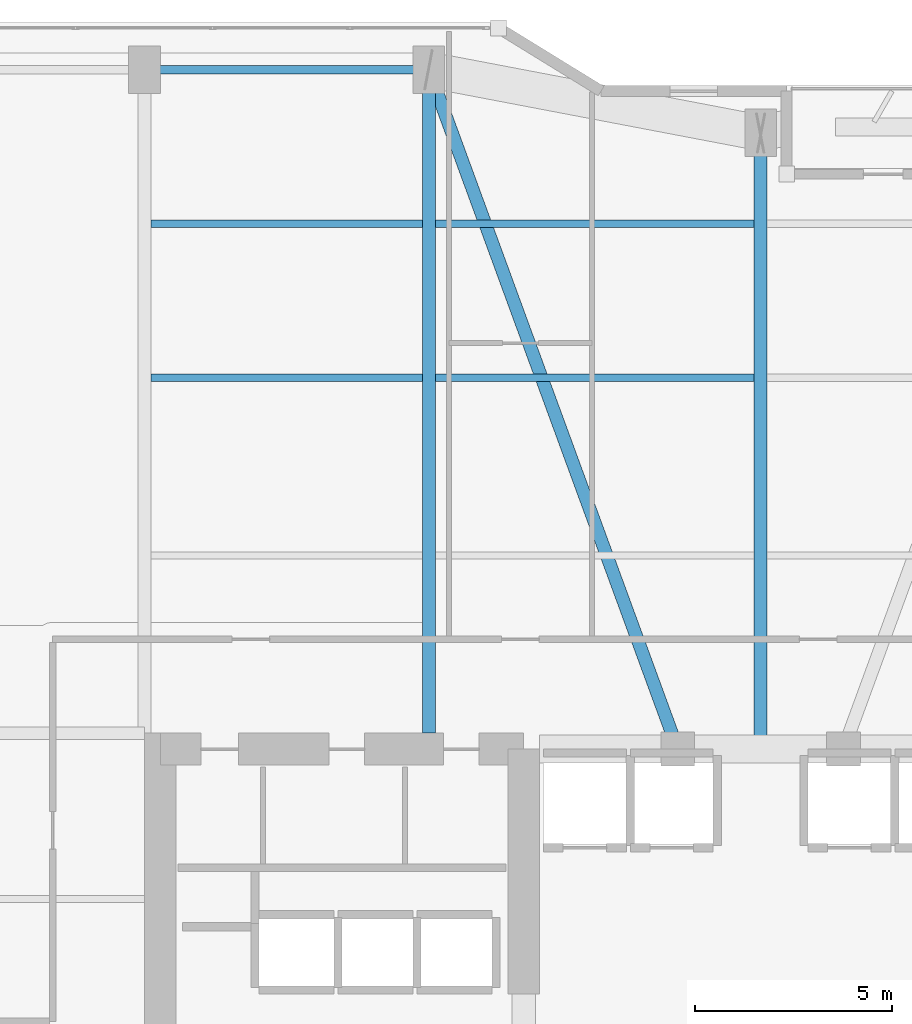
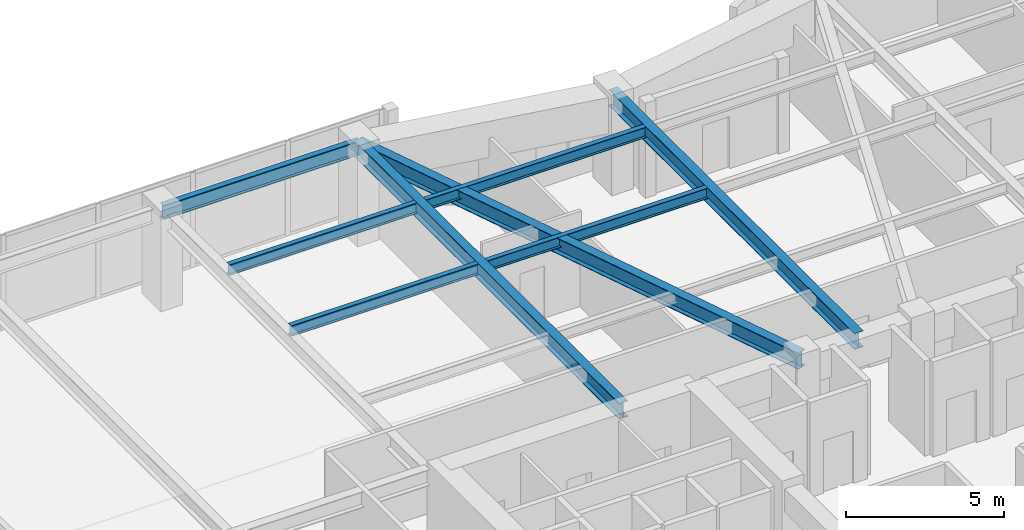
# One storey, part 18 of 31: 8 beams.
"""IFC4 building model written with IfcOpenShell, lengths in metres."""

from ifc_helpers import new_model, si_unit, direction, frame, origin, origin_2d, place, context, subcontext, project, spatial, i_section, extrude, material, material_profile, profile_set, type_object, element, save


model = new_model("IFC4")

# Units and contexts
model_context = context("Model", 3, precision=1e-05, world=origin(), true_north=direction((0.0, 1.0)))
body_context = subcontext(model_context, "Body", "Model", "MODEL_VIEW")
ifc_project = project(units=[si_unit("LENGTHUNIT", "METRE"), si_unit("AREAUNIT", "SQUARE_METRE"), si_unit("VOLUMEUNIT", "CUBIC_METRE"), si_unit("PLANEANGLEUNIT", "RADIAN"), si_unit("MASSUNIT", "GRAM", prefix="KILO")], contexts=[model_context])

# Site, building, storey
site_placement = place(None, origin())
site = spatial("IfcSite", under=ifc_project, at=site_placement, CompositionType="ELEMENT")
building_placement = place(site_placement, origin())
building = spatial("IfcBuilding", under=site, at=building_placement, Name="Kiyonajd Concourse Tower", CompositionType="ELEMENT")
storey_placement = place(building_placement, frame((0.0, 0.0, 158.39990234375)))
storey = spatial("IfcBuildingStorey", under=building, at=storey_placement, Name="L40", CompositionType="ELEMENT", Elevation=158.39990234375)

# Beams
ifc_material = material(Name="Steel ASTM A992 Grade 50", Category="steel")
ifc_material_profile_1 = material_profile(ifc_material, i_section(OverallWidth=0.180908203125, OverallDepth=0.4169921875, WebThickness=0.010986328125, FlangeThickness=0.018310546875, at=origin_2d()), Name="W410X85")
ifc_profile_set_1 = profile_set([ifc_material_profile_1], Name="Steel ASTM A992 Grade 50")
beam_type_1 = type_object("IfcBeamType", Name="BM-JST-410", PredefinedType="JOIST", material=ifc_profile_set_1)
beam_1_placement = place(storey_placement, frame((32.5634765625, 53.39990234375, 3.4716796875), z_axis=(1.0, 0.0, 0.0), x_axis=(0.0, 1.0, 0.0)))
element("IfcBeam", 1, at=beam_1_placement, inside=storey, type_object=beam_type_1, Name="L40 Secondary Floor Joist", PredefinedType="JOIST", context=body_context, shape_type="SweptSolid", body=[
    extrude(i_section(OverallWidth=0.180908203125, OverallDepth=0.4169921875, WebThickness=0.010986328125, FlangeThickness=0.018310546875, at=origin_2d()), origin(), (0.0, 0.0, 1.0), 6.873046875),
])
beam_2_placement = place(storey_placement, frame((39.763427734375, 53.39990234375, 3.4716796875), z_axis=(1.0, 0.0, 0.0), x_axis=(0.0, 1.0, 0.0)))
element("IfcBeam", 2, at=beam_2_placement, inside=storey, type_object=beam_type_1, Name="L40 Secondary Floor Joist", PredefinedType="JOIST", context=body_context, shape_type="SweptSolid", body=[
    extrude(i_section(OverallWidth=0.180908203125, OverallDepth=0.4169921875, WebThickness=0.010986328125, FlangeThickness=0.018310546875, at=origin_2d()), origin(), (0.0, 0.0, 1.0), 8.072998046875),
])
beam_3_placement = place(storey_placement, frame((32.5634765625, 57.300048828125, 3.4716796875), z_axis=(1.0, 0.0, 0.0), x_axis=(0.0, 1.0, 0.0)))
element("IfcBeam", 3, at=beam_3_placement, inside=storey, type_object=beam_type_1, Name="L40 Secondary Floor Joist", PredefinedType="JOIST", context=body_context, shape_type="SweptSolid", body=[
    extrude(i_section(OverallWidth=0.180908203125, OverallDepth=0.4169921875, WebThickness=0.010986328125, FlangeThickness=0.018310546875, at=origin_2d()), origin(), (0.0, 0.0, 1.0), 6.873046875),
])
beam_4_placement = place(storey_placement, frame((39.763427734375, 57.300048828125, 3.4716796875), z_axis=(1.0, 0.0, 0.0), x_axis=(0.0, 1.0, 0.0)))
element("IfcBeam", 4, at=beam_4_placement, inside=storey, type_object=beam_type_1, Name="L40 Secondary Floor Joist", PredefinedType="JOIST", context=body_context, shape_type="SweptSolid", body=[
    extrude(i_section(OverallWidth=0.180908203125, OverallDepth=0.4169921875, WebThickness=0.010986328125, FlangeThickness=0.018310546875, at=origin_2d()), origin(), (0.0, 0.0, 1.0), 8.072998046875),
])
ifc_material_profile_2 = material_profile(ifc_material, i_section(OverallWidth=0.214111328125, OverallDepth=0.549072265625, WebThickness=0.0146484375, FlangeThickness=0.023681640625, at=origin_2d()), Name="W530X138")
ifc_profile_set_2 = profile_set([ifc_material_profile_2], Name="Steel ASTM A992 Grade 50")
beam_type_2 = type_object("IfcBeamType", Name="BM-SPAN-530A", PredefinedType="SPANDREL", material=ifc_profile_set_2)
beam_5_placement = place(storey_placement, frame((39.60009765625, 61.199951171875, 3.405517578125), z_axis=(-1.0, 0.0, 0.0), x_axis=(0.0, -1.0, 0.0)))
element("IfcBeam", 5, at=beam_5_placement, inside=storey, type_object=beam_type_2, Name="L40 Perimeter Bundled Tube Spandrel", PredefinedType="SPANDREL", context=body_context, shape_type="SweptSolid", body=[
    extrude(i_section(OverallWidth=0.214111328125, OverallDepth=0.549072265625, WebThickness=0.0146484375, FlangeThickness=0.023681640625, at=origin_2d()), origin(), (0.0, 0.0, 1.0), 7.2001953125),
])
ifc_material_profile_3 = material_profile(ifc_material, i_section(OverallWidth=0.326904296875, OverallDepth=0.6220703125, WebThickness=0.015380859375, FlangeThickness=0.0244140625, at=origin_2d()), Name="W610X195")
ifc_profile_set_3 = profile_set([ifc_material_profile_3], Name="Steel ASTM A992 Grade 50")
beam_type_3 = type_object("IfcBeamType", Name="BM-TWR-610A", PredefinedType="BEAM", material=ifc_profile_set_3)
beam_6_placement = place(storey_placement, frame((39.60009765625, 61.199951171875, 3.369140625), z_axis=(0.343925269715, -0.938997022813, 0.0), x_axis=(0.938997022813, 0.343925269715, 0.0)))
element("IfcBeam", 6, at=beam_6_placement, inside=storey, type_object=beam_type_3, Name="L40 Core Tie Girder", PredefinedType="BEAM", context=body_context, shape_type="SweptSolid", body=[
    extrude(i_section(OverallWidth=0.326904296875, OverallDepth=0.6220703125, WebThickness=0.015380859375, FlangeThickness=0.0244140625, at=origin_2d()), origin(), (0.0, 0.0, 1.0), 18.3173828125),
])
beam_7_placement = place(storey_placement, frame((39.60009765625, 44.39990234375, 3.369140625), z_axis=(0.0, 1.0, 0.0), x_axis=(-1.0, 0.0, 0.0)))
element("IfcBeam", 7, at=beam_7_placement, inside=storey, type_object=beam_type_3, Name="L40 North Lease Girder", PredefinedType="BEAM", context=body_context, shape_type="SweptSolid", body=[
    extrude(i_section(OverallWidth=0.326904296875, OverallDepth=0.6220703125, WebThickness=0.015380859375, FlangeThickness=0.0244140625, at=origin_2d()), origin(), (0.0, 0.0, 1.0), 16.800048828125),
])
beam_8_placement = place(storey_placement, frame((48.0, 44.0, 3.369140625), z_axis=(0.0, 1.0, 0.0), x_axis=(-1.0, 0.0, 0.0)))
element("IfcBeam", 8, at=beam_8_placement, inside=storey, type_object=beam_type_3, Name="L40 North Ribbon Girder", PredefinedType="BEAM", context=body_context, shape_type="SweptSolid", body=[
    extrude(i_section(OverallWidth=0.326904296875, OverallDepth=0.6220703125, WebThickness=0.015380859375, FlangeThickness=0.0244140625, at=origin_2d()), origin(), (0.0, 0.0, 1.0), 15.60009765625),
])

save(model, "model.ifc")
